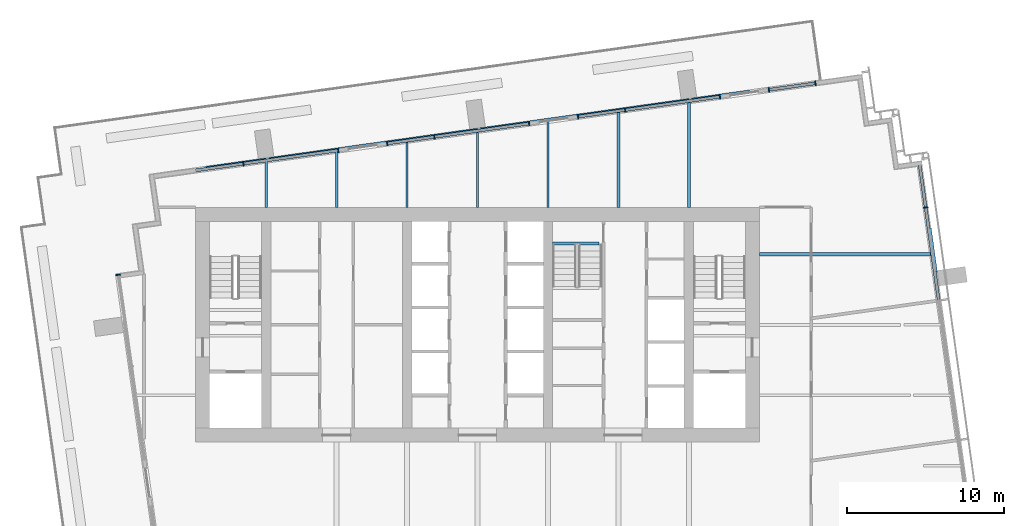
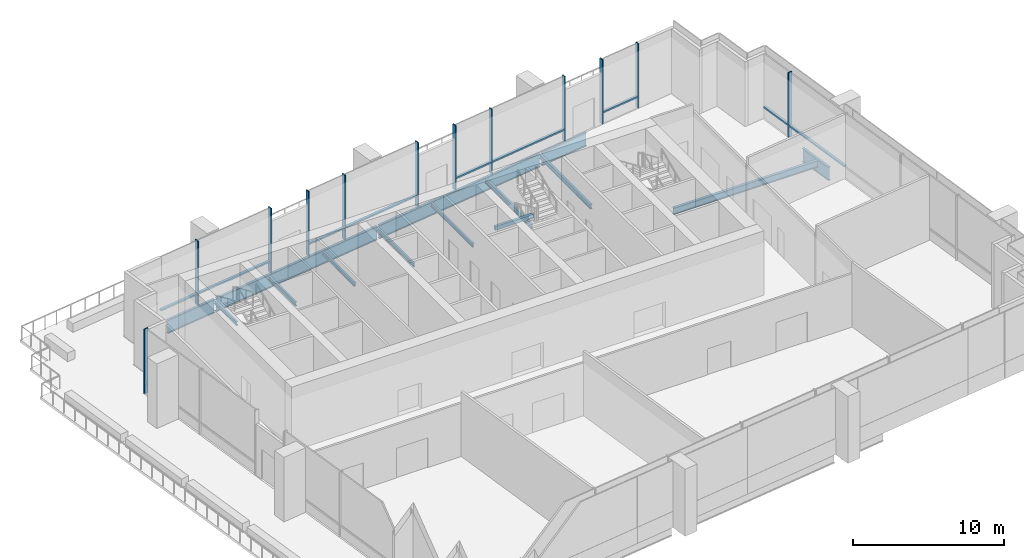
# One storey, part 4 of 18: 21 members, 14 beams, 6 elements without a shape of their own.
"""IFC4 building model written with IfcOpenShell, lengths in metres."""

from ifc_helpers import new_model, si_unit, direction, frame, origin, origin_2d, place, context, subcontext, project, spatial, rectangle, i_section, extrude, material, layer, layer_set, material_profile, profile_set, type_object, element, aggregate, save


model = new_model("IFC4")

# Units and contexts
model_context = context("Model", 3, precision=1e-05, world=origin(), true_north=direction((0.0, 1.0)))
body_context = subcontext(model_context, "Body", "Model", "MODEL_VIEW")
ifc_project = project(units=[si_unit("LENGTHUNIT", "METRE"), si_unit("AREAUNIT", "SQUARE_METRE"), si_unit("VOLUMEUNIT", "CUBIC_METRE"), si_unit("PLANEANGLEUNIT", "RADIAN"), si_unit("MASSUNIT", "GRAM", prefix="KILO")], contexts=[model_context])

# Site, building, storey
site_placement = place(None, origin())
site = spatial("IfcSite", under=ifc_project, at=site_placement, CompositionType="ELEMENT")
building_placement = place(site_placement, origin())
building = spatial("IfcBuilding", under=site, at=building_placement, Name="Rattan Terrace Tower", CompositionType="ELEMENT")
storey_placement = place(building_placement, frame((0.0, 0.0, 208.10009765625)))
storey = spatial("IfcBuildingStorey", under=building, at=storey_placement, Name="L47", CompositionType="ELEMENT", Elevation=208.10009765625)

# Beams
ifc_material_1 = material(Name="Concrete C40/50", Category="concrete")
ifc_material_profile_1 = material_profile(ifc_material_1, rectangle(XDim=0.199951171875, YDim=0.300048828125, at=origin_2d()), Name="RC 200x300")
ifc_profile_set_1 = profile_set([ifc_material_profile_1], Name="Concrete C40/50")
beam_type_1 = type_object("IfcBeamType", Name="Core landing beam RC 200x300", PredefinedType="BEAM", material=ifc_profile_set_1)
beam_1_placement = place(storey_placement, frame((4.800048828125, 5.199951171875, 2.349853515625), z_axis=(1.0, 0.0, 0.0), x_axis=(0.0, 1.0, 0.0)))
element("IfcBeam", 1, at=beam_1_placement, inside=storey, type_object=beam_type_1, Name="st-S3-L47 landing 2 edge beam", PredefinedType="BEAM", context=body_context, shape_type="SweptSolid", body=[
    extrude(rectangle(XDim=0.199951171875, YDim=0.300048828125, at=origin_2d()), origin(), (0.0, 0.0, 1.0), 2.949951171875),
])
ifc_material_2 = material(Name="Steel S460", Category="steel")
ifc_material_profile_2 = material_profile(ifc_material_2, i_section(OverallWidth=0.179931640625, OverallDepth=1.10009765625, WebThickness=0.01611328125, FlangeThickness=0.050048828125, at=origin_2d()), Name="PG 1100x180-16-50")
ifc_profile_set_2 = profile_set([ifc_material_profile_2], Name="Steel S460")
beam_type_2 = type_object("IfcBeamType", Name="Frame edge girder PG 1100x180-16-50", PredefinedType="SPANDREL", material=ifc_profile_set_2)
beam_2_placement = place(storey_placement, frame((29.27294921875, 3.39990234375, -0.75), z_axis=(-0.138792747243, 0.990321449486, 0.0), x_axis=(-0.990321449486, -0.138792747243, 0.0)))
element("IfcBeam", 2, at=beam_2_placement, inside=storey, type_object=beam_type_2, Name="gdr-L47-009", PredefinedType="SPANDREL", context=body_context, shape_type="SweptSolid", body=[
    extrude(i_section(OverallWidth=0.179931640625, OverallDepth=1.10009765625, WebThickness=0.01611328125, FlangeThickness=0.050048828125, at=origin_2d()), origin(), (0.0, 0.0, 1.0), 2.80908203125),
])
beam_3_placement = place(storey_placement, frame((-13.487060546875, 10.572998046875, -0.75), z_axis=(-0.990289742729, -0.139018795299, 0.0), x_axis=(0.139018795299, -0.990289742729, 0.0)))
element("IfcBeam", 3, at=beam_3_placement, inside=storey, type_object=beam_type_2, Name="gdr-L47-010", PredefinedType="SPANDREL", context=body_context, shape_type="SweptSolid", body=[
    extrude(i_section(OverallWidth=0.179931640625, OverallDepth=1.10009765625, WebThickness=0.01611328125, FlangeThickness=0.050048828125, at=origin_2d()), origin(), (0.0, 0.0, 1.0), 3.898681640625),
])
for number, where, z_axis, x_axis, name in (
    (4, (0.012939453125, 12.470947265625, -0.75), (-0.990256109999, -0.139258165326, 0.0), (0.139258165326, -0.990256109999, 0.0), "gdr-L47-011"),
    (5, (13.512939453125, 14.367919921875, -0.75), (-0.990266109564, -0.139187040522, 0.0), (0.139187040522, -0.990266109564, 0.0), "gdr-L47-012"),
):
    element("IfcBeam", number, at=place(storey_placement, frame(where, z_axis=z_axis, x_axis=x_axis)), inside=storey, type_object=beam_type_2, Name=name, PredefinedType="SPANDREL", context=body_context, shape_type="SweptSolid", body=[
        extrude(i_section(OverallWidth=0.179931640625, OverallDepth=1.10009765625, WebThickness=0.01611328125, FlangeThickness=0.050048828125, at=origin_2d()), origin(), (0.0, 0.0, 1.0), 13.464111328125),
    ])
beam_4_placement = place(storey_placement, frame((13.679931640625, 14.39111328125, -0.75), z_axis=(0.990281804481, 0.139075331077, 0.0), x_axis=(-0.139075331077, 0.990281804481, 0.0)))
element("IfcBeam", 6, at=beam_4_placement, inside=storey, type_object=beam_type_2, Name="gdr-L47-013", PredefinedType="SPANDREL", context=body_context, shape_type="SweptSolid", body=[
    extrude(i_section(OverallWidth=0.179931640625, OverallDepth=1.10009765625, WebThickness=0.01611328125, FlangeThickness=0.050048828125, at=origin_2d()), origin(), (0.0, 0.0, 1.0), 3.730224609375),
])
ifc_material_3 = material(Name="Steel S355", Category="steel")
ifc_material_profile_3 = material_profile(ifc_material_3, i_section(OverallWidth=0.14990234375, OverallDepth=0.300048828125, WebThickness=0.007080078125, FlangeThickness=0.0107421875, FilletRadius=0.014892578125, at=origin_2d()), Name="IPE 300")
ifc_profile_set_3 = profile_set([ifc_material_profile_3], Name="Steel S355")
beam_type_3 = type_object("IfcBeamType", Name="Frame floor beam IPE 300", PredefinedType="JOIST", material=ifc_profile_set_3)
beam_5_placement = place(storey_placement, frame((-13.5, 7.5, -0.35009765625), z_axis=(0.0, 1.0, 0.0), x_axis=(-1.0, 0.0, 0.0)))
element("IfcBeam", 7, at=beam_5_placement, inside=storey, type_object=beam_type_3, Name="bm-L47-020", PredefinedType="JOIST", context=body_context, shape_type="SweptSolid", body=[
    extrude(i_section(OverallWidth=0.14990234375, OverallDepth=0.300048828125, WebThickness=0.007080078125, FlangeThickness=0.0107421875, FilletRadius=0.014892578125, at=origin_2d()), origin(), (0.0, 0.0, 1.0), 2.969970703125),
])
beam_6_placement = place(storey_placement, frame((-9.0, 7.5, -0.35009765625), z_axis=(0.0, 1.0, 0.0), x_axis=(-1.0, 0.0, 0.0)))
element("IfcBeam", 8, at=beam_6_placement, inside=storey, type_object=beam_type_3, Name="bm-L47-021", PredefinedType="JOIST", context=body_context, shape_type="SweptSolid", body=[
    extrude(i_section(OverallWidth=0.14990234375, OverallDepth=0.300048828125, WebThickness=0.007080078125, FlangeThickness=0.0107421875, FilletRadius=0.014892578125, at=origin_2d()), origin(), (0.0, 0.0, 1.0), 3.60205078125),
])
beam_7_placement = place(storey_placement, frame((-4.5, 7.5, -0.35009765625), z_axis=(0.0, 1.0, 0.0), x_axis=(-1.0, 0.0, 0.0)))
element("IfcBeam", 9, at=beam_7_placement, inside=storey, type_object=beam_type_3, Name="bm-L47-022", PredefinedType="JOIST", context=body_context, shape_type="SweptSolid", body=[
    extrude(i_section(OverallWidth=0.14990234375, OverallDepth=0.300048828125, WebThickness=0.007080078125, FlangeThickness=0.0107421875, FilletRadius=0.014892578125, at=origin_2d()), origin(), (0.0, 0.0, 1.0), 4.235107421875),
])
beam_8_placement = place(storey_placement, frame((0.0, 7.5, -0.35009765625), z_axis=(0.0, 1.0, 0.0), x_axis=(-1.0, 0.0, 0.0)))
element("IfcBeam", 10, at=beam_8_placement, inside=storey, type_object=beam_type_3, Name="bm-L47-023", PredefinedType="JOIST", context=body_context, shape_type="SweptSolid", body=[
    extrude(i_section(OverallWidth=0.14990234375, OverallDepth=0.300048828125, WebThickness=0.007080078125, FlangeThickness=0.0107421875, FilletRadius=0.014892578125, at=origin_2d()), origin(), (0.0, 0.0, 1.0), 4.867919921875),
])
beam_9_placement = place(storey_placement, frame((4.5, 7.5, -0.35009765625), z_axis=(0.0, 1.0, 0.0), x_axis=(-1.0, 0.0, 0.0)))
element("IfcBeam", 11, at=beam_9_placement, inside=storey, type_object=beam_type_3, Name="bm-L47-024", PredefinedType="JOIST", context=body_context, shape_type="SweptSolid", body=[
    extrude(i_section(OverallWidth=0.14990234375, OverallDepth=0.300048828125, WebThickness=0.007080078125, FlangeThickness=0.0107421875, FilletRadius=0.014892578125, at=origin_2d()), origin(), (0.0, 0.0, 1.0), 5.5),
])
ifc_material_4 = material(Name="Steel S355", Category="steel")
ifc_material_profile_4 = material_profile(ifc_material_4, i_section(OverallWidth=0.169921875, OverallDepth=0.360107421875, WebThickness=0.008056640625, FlangeThickness=0.0126953125, FilletRadius=0.01806640625, at=origin_2d()), Name="IPE 360")
ifc_profile_set_4 = profile_set([ifc_material_profile_4], Name="Steel S355")
beam_type_4 = type_object("IfcBeamType", Name="Frame floor beam IPE 360", PredefinedType="JOIST", material=ifc_profile_set_4)
beam_10_placement = place(storey_placement, frame((9.0, 7.5, -0.380126953125), z_axis=(0.0, 1.0, 0.0), x_axis=(-1.0, 0.0, 0.0)))
element("IfcBeam", 12, at=beam_10_placement, inside=storey, type_object=beam_type_4, Name="bm-L47-025", PredefinedType="JOIST", context=body_context, shape_type="SweptSolid", body=[
    extrude(i_section(OverallWidth=0.169921875, OverallDepth=0.360107421875, WebThickness=0.008056640625, FlangeThickness=0.0126953125, FilletRadius=0.01806640625, at=origin_2d()), origin(), (0.0, 0.0, 1.0), 6.131103515625),
])
beam_11_placement = place(storey_placement, frame((13.5, 7.5, -0.380126953125), z_axis=(0.0, 1.0, 0.0), x_axis=(-1.0, 0.0, 0.0)))
element("IfcBeam", 13, at=beam_11_placement, inside=storey, type_object=beam_type_4, Name="bm-L47-026", PredefinedType="JOIST", context=body_context, shape_type="SweptSolid", body=[
    extrude(i_section(OverallWidth=0.169921875, OverallDepth=0.360107421875, WebThickness=0.008056640625, FlangeThickness=0.0126953125, FilletRadius=0.01806640625, at=origin_2d()), origin(), (0.0, 0.0, 1.0), 6.762939453125),
])
ifc_material_5 = material(Name="Steel S355", Category="steel")
ifc_material_profile_5 = material_profile(ifc_material_5, i_section(OverallWidth=0.2099609375, OverallDepth=0.550048828125, WebThickness=0.010986328125, FlangeThickness=0.01708984375, FilletRadius=0.02392578125, at=origin_2d()), Name="IPE 550")
ifc_profile_set_5 = profile_set([ifc_material_profile_5], Name="Steel S355")
beam_type_5 = type_object("IfcBeamType", Name="Frame floor beam IPE 550", PredefinedType="JOIST", material=ifc_profile_set_5)
beam_12_placement = place(storey_placement, frame((18.0, 4.5, -0.47509765625), z_axis=(1.0, 0.0, 0.0), x_axis=(0.0, 1.0, 0.0)))
element("IfcBeam", 14, at=beam_12_placement, inside=storey, type_object=beam_type_5, Name="bm-L47-019", PredefinedType="JOIST", context=body_context, shape_type="SweptSolid", body=[
    extrude(i_section(OverallWidth=0.2099609375, OverallDepth=0.550048828125, WebThickness=0.010986328125, FlangeThickness=0.01708984375, FilletRadius=0.02392578125, at=origin_2d()), origin(), (0.0, 0.0, 1.0), 11.012939453125),
])

# Curtain wall, member
ifc_material_6 = material(Name="Steel fins, aluminium and glass", Category="steel")
ifc_layer = layer(ifc_material_6, 0.300048828125)
ifc_layer_set = layer_set([ifc_layer], Name="Sky Lobby Stick Curtain Wall")
curtain_wall_type = type_object("IfcCurtainWallType", Name="Sky Lobby Stick Curtain Wall", PredefinedType="NOTDEFINED", material=ifc_layer_set)
curtain_wall_1_placement = place(storey_placement, origin())
curtain_wall_1 = element("IfcCurtainWall", 15, at=curtain_wall_1_placement, inside=storey, type_object=curtain_wall_type, Name="Sky lobby curtain wall L47-1", PredefinedType="NOTDEFINED")
ifc_material_7 = material(Name="Steel S355", Category="steel")
ifc_material_profile_6 = material_profile(ifc_material_7, rectangle(XDim=0.080078125, YDim=0.300048828125, at=origin_2d()), Name="Steel S355 80x300")
ifc_profile_set_6 = profile_set([ifc_material_profile_6], Name="Steel S355")
member_type_1 = type_object("IfcMemberType", Name="Sky Lobby CW Fin 80x300", PredefinedType="MULLION", material=ifc_profile_set_6)
member_1_placement = place(storey_placement, frame((28.6171875, 7.49267578125, 0.0), z_axis=(0.0, 0.0, 1.0), x_axis=(-0.139186165309, 0.990266232579, 0.0)))
member_1 = element("IfcMember", 16, at=member_1_placement, type_object=member_type_1, Name="Mullion cwl-L47-001.5", PredefinedType="MULLION", context=body_context, shape_type="SweptSolid", body=[
    extrude(rectangle(XDim=0.080078125, YDim=0.300048828125, at=origin_2d()), origin(), (0.0, 0.0, 1.0), 5.199951171875),
])

# Curtain wall, members
curtain_wall_2_placement = place(storey_placement, origin())
curtain_wall_2 = element("IfcCurtainWall", 17, at=curtain_wall_2_placement, inside=storey, type_object=curtain_wall_type, Name="Sky lobby curtain wall L47-2", PredefinedType="NOTDEFINED")
member_2_placement = place(storey_placement, frame((21.574951171875, 15.420166015625, 0.0), z_axis=(0.0, 0.0, 1.0), x_axis=(-0.990267457022, -0.139177453499, 0.0)))
member_2 = element("IfcMember", 18, at=member_2_placement, type_object=member_type_1, Name="Mullion cwl-L47-002.1", PredefinedType="MULLION", context=body_context, shape_type="SweptSolid", body=[
    extrude(rectangle(XDim=0.080078125, YDim=0.300048828125, at=origin_2d()), origin(), (0.0, 0.0, 1.0), 5.199951171875),
])
member_3_placement = place(storey_placement, frame((18.607177734375, 15.0029296875, 0.0), z_axis=(0.0, 0.0, 1.0), x_axis=(-0.990267457022, -0.139177453499, 0.0)))
member_3 = element("IfcMember", 19, at=member_3_placement, type_object=member_type_1, Name="Mullion cwl-L47-002.2", PredefinedType="MULLION", context=body_context, shape_type="SweptSolid", body=[
    extrude(rectangle(XDim=0.080078125, YDim=0.300048828125, at=origin_2d()), origin(), (0.0, 0.0, 1.0), 5.199951171875),
])

curtain_wall_3_placement = place(storey_placement, origin())
curtain_wall_3 = element("IfcCurtainWall", 20, at=curtain_wall_3_placement, inside=storey, type_object=curtain_wall_type, Name="Sky lobby curtain wall L47-3", PredefinedType="NOTDEFINED")
member_4_placement = place(storey_placement, frame((15.48095703125, 14.5634765625, 0.0), z_axis=(0.0, 0.0, 1.0), x_axis=(-0.990267457022, -0.139177453499, 0.0)))
member_4 = element("IfcMember", 21, at=member_4_placement, type_object=member_type_1, Name="Mullion cwl-L47-003.1", PredefinedType="MULLION", context=body_context, shape_type="SweptSolid", body=[
    extrude(rectangle(XDim=0.080078125, YDim=0.300048828125, at=origin_2d()), origin(), (0.0, 0.0, 1.0), 5.199951171875),
])
member_5_placement = place(storey_placement, frame((9.426513671875, 13.712646484375, 0.0), z_axis=(0.0, 0.0, 1.0), x_axis=(-0.990267457022, -0.139177453499, 0.0)))
member_5 = element("IfcMember", 22, at=member_5_placement, type_object=member_type_1, Name="Mullion cwl-L47-003.2", PredefinedType="MULLION", context=body_context, shape_type="SweptSolid", body=[
    extrude(rectangle(XDim=0.080078125, YDim=0.300048828125, at=origin_2d()), origin(), (0.0, 0.0, 1.0), 5.199951171875),
])
member_6_placement = place(storey_placement, frame((6.4189453125, 13.2900390625, 0.0), z_axis=(0.0, 0.0, 1.0), x_axis=(-0.990267457022, -0.139177453499, 0.0)))
member_6 = element("IfcMember", 23, at=member_6_placement, type_object=member_type_1, Name="Mullion cwl-L47-003.3", PredefinedType="MULLION", context=body_context, shape_type="SweptSolid", body=[
    extrude(rectangle(XDim=0.080078125, YDim=0.300048828125, at=origin_2d()), origin(), (0.0, 0.0, 1.0), 5.199951171875),
])

curtain_wall_4_placement = place(storey_placement, origin())
curtain_wall_4 = element("IfcCurtainWall", 24, at=curtain_wall_4_placement, inside=storey, type_object=curtain_wall_type, Name="Sky lobby curtain wall L47-4", PredefinedType="NOTDEFINED")
member_7_placement = place(storey_placement, frame((3.292724609375, 12.8505859375, 0.0), z_axis=(0.0, 0.0, 1.0), x_axis=(-0.990267457022, -0.139177453499, 0.0)))
member_7 = element("IfcMember", 25, at=member_7_placement, type_object=member_type_1, Name="Mullion cwl-L47-004.1", PredefinedType="MULLION", context=body_context, shape_type="SweptSolid", body=[
    extrude(rectangle(XDim=0.080078125, YDim=0.300048828125, at=origin_2d()), origin(), (0.0, 0.0, 1.0), 5.199951171875),
])
member_8_placement = place(storey_placement, frame((-2.76171875, 11.999755859375, 0.0), z_axis=(0.0, 0.0, 1.0), x_axis=(-0.990267457022, -0.139177453499, 0.0)))
member_8 = element("IfcMember", 26, at=member_8_placement, type_object=member_type_1, Name="Mullion cwl-L47-004.2", PredefinedType="MULLION", context=body_context, shape_type="SweptSolid", body=[
    extrude(rectangle(XDim=0.080078125, YDim=0.300048828125, at=origin_2d()), origin(), (0.0, 0.0, 1.0), 5.199951171875),
])
member_9_placement = place(storey_placement, frame((-5.769287109375, 11.576904296875, 0.0), z_axis=(0.0, 0.0, 1.0), x_axis=(-0.990267457022, -0.139177453499, 0.0)))
member_9 = element("IfcMember", 27, at=member_9_placement, type_object=member_type_1, Name="Mullion cwl-L47-004.3", PredefinedType="MULLION", context=body_context, shape_type="SweptSolid", body=[
    extrude(rectangle(XDim=0.080078125, YDim=0.300048828125, at=origin_2d()), origin(), (0.0, 0.0, 1.0), 5.199951171875),
])

curtain_wall_5_placement = place(storey_placement, origin())
curtain_wall_5 = element("IfcCurtainWall", 28, at=curtain_wall_5_placement, inside=storey, type_object=curtain_wall_type, Name="Sky lobby curtain wall L47-5", PredefinedType="NOTDEFINED")
member_10_placement = place(storey_placement, frame((-8.8955078125, 11.1376953125, 0.0), z_axis=(0.0, 0.0, 1.0), x_axis=(-0.990267457022, -0.139177453499, 0.0)))
member_10 = element("IfcMember", 29, at=member_10_placement, type_object=member_type_1, Name="Mullion cwl-L47-005.1", PredefinedType="MULLION", context=body_context, shape_type="SweptSolid", body=[
    extrude(rectangle(XDim=0.080078125, YDim=0.300048828125, at=origin_2d()), origin(), (0.0, 0.0, 1.0), 5.199951171875),
])
member_11_placement = place(storey_placement, frame((-14.949951171875, 10.28662109375, 0.0), z_axis=(0.0, 0.0, 1.0), x_axis=(-0.990267457022, -0.139177453499, 0.0)))
member_11 = element("IfcMember", 30, at=member_11_placement, type_object=member_type_1, Name="Mullion cwl-L47-005.2", PredefinedType="MULLION", context=body_context, shape_type="SweptSolid", body=[
    extrude(rectangle(XDim=0.080078125, YDim=0.300048828125, at=origin_2d()), origin(), (0.0, 0.0, 1.0), 5.199951171875),
])

# Curtain wall, member
curtain_wall_6_placement = place(storey_placement, origin())
curtain_wall_6 = element("IfcCurtainWall", 31, at=curtain_wall_6_placement, inside=storey, type_object=curtain_wall_type, Name="Sky lobby curtain wall L47-6", PredefinedType="NOTDEFINED")
member_12_placement = place(storey_placement, frame((-22.94580078125, 3.189453125, 0.0), z_axis=(0.0, 0.0, 1.0), x_axis=(0.139186165309, -0.990266232579, 0.0)))
member_12 = element("IfcMember", 32, at=member_12_placement, type_object=member_type_1, Name="Mullion cwl-L47-006.1", PredefinedType="MULLION", context=body_context, shape_type="SweptSolid", body=[
    extrude(rectangle(XDim=0.080078125, YDim=0.300048828125, at=origin_2d()), origin(), (0.0, 0.0, 1.0), 5.199951171875),
])
aggregate(curtain_wall_6, [member_12])

# Member
ifc_material_8 = material(Name="Aluminium", Category="aluminium")
ifc_material_profile_7 = material_profile(ifc_material_8, rectangle(XDim=0.199951171875, YDim=0.1201171875, at=origin_2d()), Name="Aluminium 200x120")
ifc_profile_set_7 = profile_set([ifc_material_profile_7], Name="Aluminium")
member_type_2 = type_object("IfcMemberType", Name="Sky Lobby CW Transom 200x120", PredefinedType="USERDEFINED", material=ifc_profile_set_7)
member_13_placement = place(storey_placement, frame((29.44677734375, 1.5908203125, 0.89990234375), z_axis=(-0.139186587322, 0.990266173263, 0.0), x_axis=(-0.990266173263, -0.139186587322, 0.0)))
member_13 = element("IfcMember", 33, at=member_13_placement, type_object=member_type_2, Name="Transom cwl-L47-001.4", ObjectType="TRANSOM", PredefinedType="USERDEFINED", context=body_context, shape_type="SweptSolid", body=[
    extrude(rectangle(XDim=0.199951171875, YDim=0.1201171875, at=origin_2d()), origin(), (0.0, 0.0, 1.0), 5.919921875),
])

member_14_placement = place(storey_placement, frame((28.611572265625, 7.5322265625, 0.89990234375), z_axis=(-0.139163588408, 0.990269405597, 0.0), x_axis=(-0.990269405597, -0.139163588408, 0.0)))
member_14 = element("IfcMember", 34, at=member_14_placement, type_object=member_type_2, Name="Transom cwl-L47-001.5", ObjectType="TRANSOM", PredefinedType="USERDEFINED", context=body_context, shape_type="SweptSolid", body=[
    extrude(rectangle(XDim=0.199951171875, YDim=0.1201171875, at=origin_2d()), origin(), (0.0, 0.0, 1.0), 2.664794921875),
])

aggregate(curtain_wall_1, [member_1, member_13, member_14])

member_15_placement = place(storey_placement, frame((21.535400390625, 15.41455078125, 0.89990234375), z_axis=(-0.990266674808, -0.139183018949, 0.0), x_axis=(0.139183018949, -0.990266674808, 0.0)))
member_15 = element("IfcMember", 35, at=member_15_placement, type_object=member_type_2, Name="Transom cwl-L47-002.1", ObjectType="TRANSOM", PredefinedType="USERDEFINED", context=body_context, shape_type="SweptSolid", body=[
    extrude(rectangle(XDim=0.199951171875, YDim=0.1201171875, at=origin_2d()), origin(), (0.0, 0.0, 1.0), 2.9169921875),
])

aggregate(curtain_wall_2, [member_2, member_3, member_15])

member_16_placement = place(storey_placement, frame((15.44140625, 14.55810546875, 0.89990234375), z_axis=(-0.990266601755, -0.139183538714, 0.0), x_axis=(0.139183538714, -0.990266601755, 0.0)))
member_16 = element("IfcMember", 36, at=member_16_placement, type_object=member_type_2, Name="Transom cwl-L47-003.1", ObjectType="TRANSOM", PredefinedType="USERDEFINED", context=body_context, shape_type="SweptSolid", body=[
    extrude(rectangle(XDim=0.199951171875, YDim=0.1201171875, at=origin_2d()), origin(), (0.0, 0.0, 1.0), 6.0341796875),
])

member_17_placement = place(storey_placement, frame((9.38671875, 13.70703125, 0.89990234375), z_axis=(-0.9902754269, -0.139120734895, 0.0), x_axis=(0.139120734895, -0.9902754269, 0.0)))
member_17 = element("IfcMember", 37, at=member_17_placement, type_object=member_type_2, Name="Transom cwl-L47-003.2", ObjectType="TRANSOM", PredefinedType="USERDEFINED", context=body_context, shape_type="SweptSolid", body=[
    extrude(rectangle(XDim=0.199951171875, YDim=0.1201171875, at=origin_2d()), origin(), (0.0, 0.0, 1.0), 2.95703125),
])

aggregate(curtain_wall_3, [member_4, member_5, member_6, member_16, member_17])

member_18_placement = place(storey_placement, frame((3.253173828125, 12.844970703125, 0.89990234375), z_axis=(-0.990266601755, -0.139183538714, 0.0), x_axis=(0.139183538714, -0.990266601755, 0.0)))
member_18 = element("IfcMember", 38, at=member_18_placement, type_object=member_type_2, Name="Transom cwl-L47-004.1", ObjectType="TRANSOM", PredefinedType="USERDEFINED", context=body_context, shape_type="SweptSolid", body=[
    extrude(rectangle(XDim=0.199951171875, YDim=0.1201171875, at=origin_2d()), origin(), (0.0, 0.0, 1.0), 6.0341796875),
])

member_19_placement = place(storey_placement, frame((-2.80126953125, 11.994140625, 0.89990234375), z_axis=(-0.990264049024, -0.139201699738, 0.0), x_axis=(0.139201699738, -0.990264049024, 0.0)))
member_19 = element("IfcMember", 39, at=member_19_placement, type_object=member_type_2, Name="Transom cwl-L47-004.2", ObjectType="TRANSOM", PredefinedType="USERDEFINED", context=body_context, shape_type="SweptSolid", body=[
    extrude(rectangle(XDim=0.199951171875, YDim=0.1201171875, at=origin_2d()), origin(), (0.0, 0.0, 1.0), 2.95703125),
])

aggregate(curtain_wall_4, [member_7, member_8, member_9, member_18, member_19])

member_20_placement = place(storey_placement, frame((-8.93505859375, 11.132080078125, 0.89990234375), z_axis=(-0.990266601755, -0.139183538714, 0.0), x_axis=(0.139183538714, -0.990266601755, 0.0)))
member_20 = element("IfcMember", 40, at=member_20_placement, type_object=member_type_2, Name="Transom cwl-L47-005.1", ObjectType="TRANSOM", PredefinedType="USERDEFINED", context=body_context, shape_type="SweptSolid", body=[
    extrude(rectangle(XDim=0.199951171875, YDim=0.1201171875, at=origin_2d()), origin(), (0.0, 0.0, 1.0), 6.0341796875),
])

member_21_placement = place(storey_placement, frame((-14.989501953125, 10.281005859375, 0.89990234375), z_axis=(-0.990271823485, -0.139146381955, 0.0), x_axis=(0.139146381955, -0.990271823485, 0.0)))
member_21 = element("IfcMember", 41, at=member_21_placement, type_object=member_type_2, Name="Transom cwl-L47-005.2", ObjectType="TRANSOM", PredefinedType="USERDEFINED", context=body_context, shape_type="SweptSolid", body=[
    extrude(rectangle(XDim=0.199951171875, YDim=0.1201171875, at=origin_2d()), origin(), (0.0, 0.0, 1.0), 3.035400390625),
])

aggregate(curtain_wall_5, [member_10, member_11, member_20, member_21])

save(model, "model.ifc")
